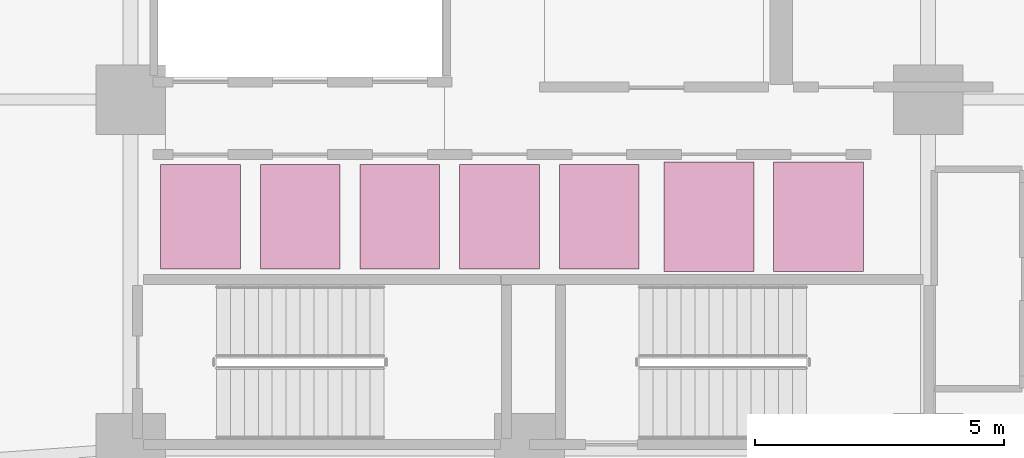
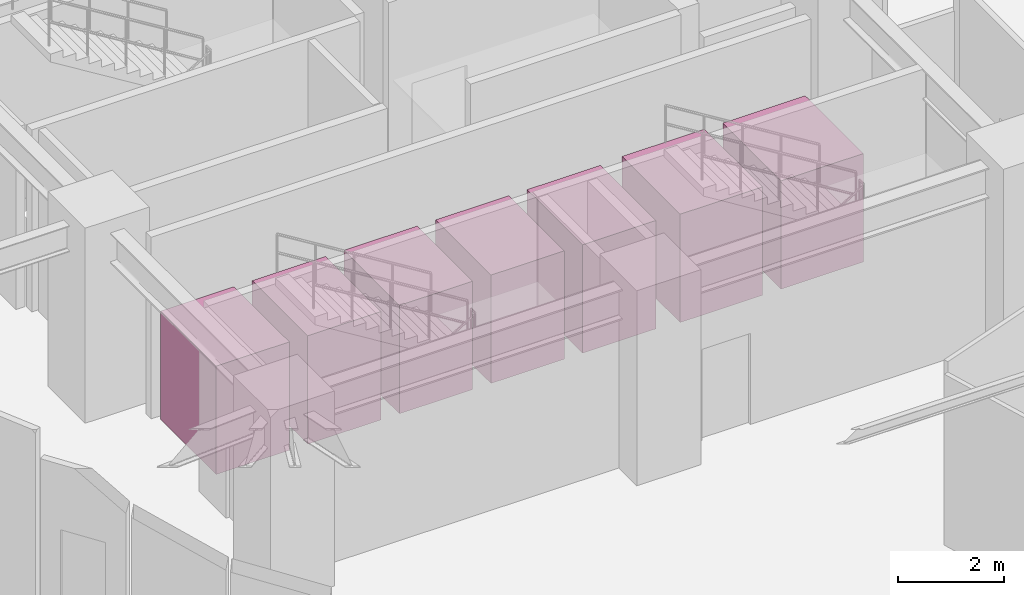
# One storey, part 40 of 40: 7 transport elements.
"""IFC4 building model written with IfcOpenShell, lengths in metres."""

from ifc_helpers import new_model, si_unit, direction, frame, origin, origin_2d, place, context, subcontext, project, spatial, rectangle, extrude, source, transform, mapped, material, type_object, element, save


model = new_model("IFC4")

# Units and contexts
model_context = context("Model", 3, precision=1e-05, world=origin(), true_north=direction((0.0, 1.0)))
body_context = subcontext(model_context, "Body", "Model", "MODEL_VIEW")
ifc_project = project(units=[si_unit("LENGTHUNIT", "METRE"), si_unit("AREAUNIT", "SQUARE_METRE"), si_unit("VOLUMEUNIT", "CUBIC_METRE"), si_unit("PLANEANGLEUNIT", "RADIAN"), si_unit("MASSUNIT", "GRAM", prefix="KILO")], contexts=[model_context])

# Site, building, storey
site_placement = place(None, origin())
site = spatial("IfcSite", under=ifc_project, at=site_placement, CompositionType="ELEMENT")
building_placement = place(site_placement, origin())
building = spatial("IfcBuilding", under=site, at=building_placement, Name="Kelanora Arch Commons", CompositionType="ELEMENT")
storey_placement = place(building_placement, origin())
storey = spatial("IfcBuildingStorey", under=building, at=storey_placement, Name="L00", CompositionType="ELEMENT", Elevation=0.0)

# Transport elements
ifc_material_1 = material(Name="Brushed stainless steel passenger lift car", Category="steel")
transport_element_type_1 = type_object("IfcTransportElementType", Name="LFT-PASS-1600", PredefinedType="ELEVATOR", material=ifc_material_1)
shared_shape_1 = source(origin(), body_context, "Body", "SweptSolid", [
    extrude(rectangle(XDim=1.60009765625, YDim=2.10009765625, at=origin_2d()), origin(), (0.0, 0.0, 1.0), 2.5),
])
for number, where, z_axis, x_axis, name in (
    (1, (67.39990234375, 55.64990234375, 0.0), (0.0, 0.0, 1.0), (1.0, 0.0, 0.0), "Lift LF-P4"),
    (2, (69.39990234375, 55.64990234375, 0.0), (0.0, 0.0, 1.0), (1.0, 0.0, 0.0), "Lift LF-P5"),
    (3, (71.39990234375, 55.64990234375, 0.0), (0.0, 0.0, 1.0), (1.0, 0.0, 0.0), "Lift LF-P6"),
    (4, (73.39990234375, 55.64990234375, 0.0), (0.0, 0.0, 1.0), (1.0, 0.0, 0.0), "Lift LF-P7"),
    (5, (75.39990234375, 55.64990234375, 0.0), (0.0, 0.0, 1.0), (1.0, 0.0, 0.0), "Lift LF-P8"),
):
    element("IfcTransportElement", number, at=place(storey_placement, frame(where, z_axis=z_axis, x_axis=x_axis)), inside=storey, type_object=transport_element_type_1, Name=name, PredefinedType="ELEVATOR", context=body_context, shape_type="MappedRepresentation", body=[
        mapped(shared_shape_1, transform((0.0, 0.0, 0.0), scale=1.0)),
    ])
ifc_material_2 = material(Name="Laminated glass and stainless steel express lift car", Category="steel")
transport_element_type_2 = type_object("IfcTransportElementType", Name="LFT-EXP-1800", PredefinedType="ELEVATOR", material=ifc_material_2)
shared_shape_2 = source(origin(), body_context, "Body", "SweptSolid", [
    extrude(rectangle(XDim=1.800048828125, YDim=2.199951171875, at=origin_2d()), origin(), (0.0, 0.0, 1.0), 2.5),
])
for number, where, z_axis, x_axis, name in (
    (6, (77.60009765625, 55.64990234375, 0.0), (0.0, 0.0, 1.0), (1.0, 0.0, 0.0), "Lift LF-EX1"),
    (7, (79.800048828125, 55.64990234375, 0.0), (0.0, 0.0, 1.0), (1.0, 0.0, 0.0), "Lift LF-EX2"),
):
    element("IfcTransportElement", number, at=place(storey_placement, frame(where, z_axis=z_axis, x_axis=x_axis)), inside=storey, type_object=transport_element_type_2, Name=name, PredefinedType="ELEVATOR", context=body_context, shape_type="MappedRepresentation", body=[
        mapped(shared_shape_2, transform((0.0, 0.0, 0.0), scale=1.0)),
    ])

save(model, "model.ifc")
